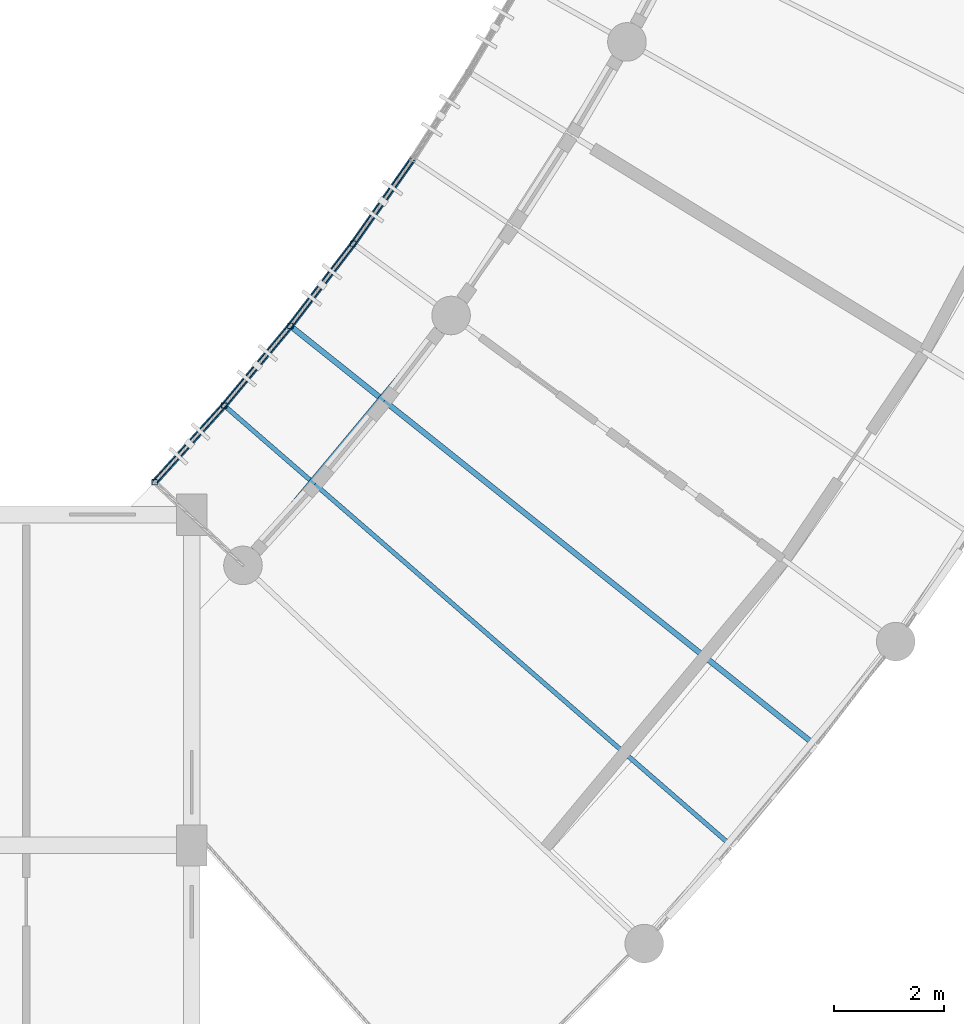
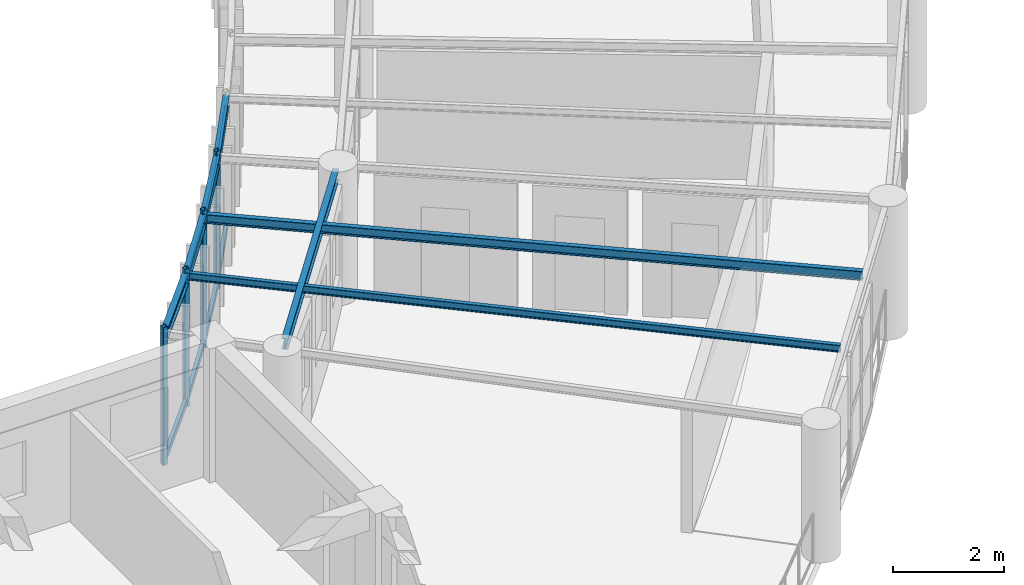
# One storey, part 11 of 123: 12 members, 7 beams.
"""IFC4 building model written with IfcOpenShell, lengths in metres."""

from ifc_helpers import new_model, si_unit, direction, frame, origin, origin_2d, place, context, subcontext, project, spatial, hollow_rectangle, i_section, extrude, material, material_profile, profile_set, type_object, element, save


model = new_model("IFC4")

# Units and contexts
model_context = context("Model", 3, precision=1e-05, world=origin(), true_north=direction((0.0, 1.0)))
body_context = subcontext(model_context, "Body", "Model", "MODEL_VIEW")
ifc_project = project(units=[si_unit("LENGTHUNIT", "METRE"), si_unit("AREAUNIT", "SQUARE_METRE"), si_unit("VOLUMEUNIT", "CUBIC_METRE"), si_unit("PLANEANGLEUNIT", "RADIAN"), si_unit("MASSUNIT", "GRAM", prefix="KILO"), si_unit("POWERUNIT", "WATT"), si_unit("THERMODYNAMICTEMPERATUREUNIT", "KELVIN")], contexts=[model_context])

# Site, building, storey
site_placement = place(None, origin())
site = spatial("IfcSite", under=ifc_project, at=site_placement, CompositionType="ELEMENT")
building_placement = place(site_placement, origin())
building = spatial("IfcBuilding", under=site, at=building_placement, Name="Ruvembo Vaulted Housing Court", CompositionType="ELEMENT")
storey_placement = place(building_placement, frame((0.0, 0.0, 7.699951171875)))
storey = spatial("IfcBuildingStorey", under=building, at=storey_placement, Name="L02", CompositionType="ELEMENT", Elevation=7.699951171875)

# Beams
ifc_material = material(Name="Steel S355J2", Category="steel")
ifc_material_profile_1 = material_profile(ifc_material, i_section(OverallWidth=0.08203125, OverallDepth=0.159912109375, WebThickness=0.0048828125, FlangeThickness=0.00732421875, FilletRadius=0.009033203125, at=origin_2d()), Name="IPE 160")
ifc_profile_set_1 = profile_set([ifc_material_profile_1], Name="Steel S355J2")
beam_type_1 = type_object("IfcBeamType", Name="BM-ST-IPE160", PredefinedType="JOIST", material=ifc_profile_set_1)
beam_1_placement = place(storey_placement, frame((45.690673828125, 36.078369140625, 2.860107421875), z_axis=(-0.75520458687, 0.655489154732, 0.0), x_axis=(-0.655489154732, -0.75520458687, 0.0)))
element("IfcBeam", 1, at=beam_1_placement, inside=storey, type_object=beam_type_1, Name="Scoop SC1 L02 Radial Steel Joist 1", PredefinedType="JOIST", context=body_context, shape_type="SweptSolid", body=[
    extrude(i_section(OverallWidth=0.08203125, OverallDepth=0.159912109375, WebThickness=0.0048828125, FlangeThickness=0.00732421875, FilletRadius=0.009033203125, at=origin_2d()), origin(), (0.0, 0.0, 1.0), 12.092529296875),
])
ifc_material_profile_2 = material_profile(ifc_material, i_section(OverallWidth=0.10009765625, OverallDepth=0.199951171875, WebThickness=0.005615234375, FlangeThickness=0.008544921875, FilletRadius=0.011962890625, at=origin_2d()), Name="IPE 200")
ifc_profile_set_2 = profile_set([ifc_material_profile_2], Name="Steel S355J2")
beam_type_2 = type_object("IfcBeamType", Name="BM-ST-IPE200", PredefinedType="BEAM", material=ifc_profile_set_2)
beam_2_placement = place(storey_placement, frame((47.20751953125, 37.900146484375, 2.840087890625), z_axis=(-0.781429857341, 0.623993091353, 0.0), x_axis=(-0.623993091353, -0.781429857341, 0.0)))
element("IfcBeam", 2, at=beam_2_placement, inside=storey, type_object=beam_type_2, Name="Scoop SC1 L02 Radial Steel Joist 2", PredefinedType="BEAM", context=body_context, shape_type="SweptSolid", body=[
    extrude(i_section(OverallWidth=0.10009765625, OverallDepth=0.199951171875, WebThickness=0.005615234375, FlangeThickness=0.008544921875, FilletRadius=0.011962890625, at=origin_2d()), origin(), (0.0, 0.0, 1.0), 12.092529296875),
])
ifc_material_profile_3 = material_profile(ifc_material, i_section(OverallWidth=0.1201171875, OverallDepth=0.239990234375, WebThickness=0.006103515625, FlangeThickness=0.009765625, FilletRadius=0.014892578125, at=origin_2d()), Name="IPE 240")
ifc_profile_set_3 = profile_set([ifc_material_profile_3], Name="Steel S355J2")
beam_type_3 = type_object("IfcBeamType", Name="BM-ST-IPE240", PredefinedType="BEAM", material=ifc_profile_set_3)
beam_3_placement = place(storey_placement, frame((37.077880859375, 41.2548828125, 2.822021484375), z_axis=(0.639875176035, 0.768478860538, 0.0), x_axis=(-0.768478860538, 0.639875176035, 0.0)))
element("IfcBeam", 3, at=beam_3_placement, inside=storey, type_object=beam_type_3, Name="Scoop SC1 L02 Chord Girder F0", PredefinedType="BEAM", context=body_context, shape_type="SweptSolid", body=[
    extrude(i_section(OverallWidth=0.1201171875, OverallDepth=0.239990234375, WebThickness=0.006103515625, FlangeThickness=0.009765625, FilletRadius=0.014892578125, at=origin_2d()), origin(), (0.0, 0.0, 1.0), 5.43701171875),
])
for number, where, z_axis, x_axis, name in (
    (4, (35.32958984375, 42.5869140625, 2.820068359375), (0.670766832997, 0.741668292265, 0.0), (-0.741668292265, 0.670766832997, 0.0), "Scoop SC1 L02 Balcony Edge Spandrel 0"),
    (5, (36.58837890625, 43.978759765625, 2.820068359375), (0.639915648776, 0.76844515904, 0.0), (-0.76844515904, 0.639915648776, 0.0), "Scoop SC1 L02 Balcony Edge Spandrel 1"),
):
    element("IfcBeam", number, at=place(storey_placement, frame(where, z_axis=z_axis, x_axis=x_axis)), inside=storey, type_object=beam_type_3, Name=name, PredefinedType="BEAM", context=body_context, shape_type="SweptSolid", body=[
        extrude(i_section(OverallWidth=0.1201171875, OverallDepth=0.239990234375, WebThickness=0.006103515625, FlangeThickness=0.009765625, FilletRadius=0.014892578125, at=origin_2d()), origin(), (0.0, 0.0, 1.0), 1.876708984375),
    ])
beam_4_placement = place(storey_placement, frame((37.789306640625, 45.4208984375, 2.820068359375), z_axis=(0.607860517304, 0.794043822155, 0.0), x_axis=(-0.794043822155, 0.607860517304, 0.0)))
element("IfcBeam", 6, at=beam_4_placement, inside=storey, type_object=beam_type_3, Name="Scoop SC1 L02 Balcony Edge Spandrel 2", PredefinedType="BEAM", context=body_context, shape_type="SweptSolid", body=[
    extrude(i_section(OverallWidth=0.1201171875, OverallDepth=0.239990234375, WebThickness=0.006103515625, FlangeThickness=0.009765625, FilletRadius=0.014892578125, at=origin_2d()), origin(), (0.0, 0.0, 1.0), 1.87646484375),
])
beam_5_placement = place(storey_placement, frame((38.929931640625, 46.910888671875, 2.820068359375), z_axis=(0.574858427718, 0.81825288761, 0.0), x_axis=(-0.81825288761, 0.574858427718, 0.0)))
element("IfcBeam", 7, at=beam_5_placement, inside=storey, type_object=beam_type_3, Name="Scoop SC1 L02 Balcony Edge Spandrel 3", PredefinedType="BEAM", context=body_context, shape_type="SweptSolid", body=[
    extrude(i_section(OverallWidth=0.1201171875, OverallDepth=0.239990234375, WebThickness=0.006103515625, FlangeThickness=0.009765625, FilletRadius=0.014892578125, at=origin_2d()), origin(), (0.0, 0.0, 1.0), 1.876708984375),
])

# Members
ifc_material_profile_4 = material_profile(ifc_material, hollow_rectangle(XDim=0.06005859375, YDim=0.1201171875, WallThickness=0.0048828125, InnerFilletRadius=0.0048828125, OuterFilletRadius=0.010009765625, at=origin_2d()), Name="RHS 120x60x5")
ifc_profile_set_4 = profile_set([ifc_material_profile_4], Name="Steel S355J2")
member_type_1 = type_object("IfcMemberType", Name="MEM-CAR-RHS120", PredefinedType="CHORD", material=ifc_profile_set_4)
for number, where, z_axis, x_axis, name in (
    (8, (35.32958984375, 42.5869140625, 2.64306640625), (0.670766832997, 0.741668292265, 0.0), (-0.741668292265, 0.670766832997, 0.0), "Scoop SC1 L02 Upper Louvre Carrier Rail 0"),
    (9, (36.58837890625, 43.978759765625, 2.64306640625), (0.639915648776, 0.76844515904, 0.0), (-0.76844515904, 0.639915648776, 0.0), "Scoop SC1 L02 Upper Louvre Carrier Rail 1"),
):
    element("IfcMember", number, at=place(storey_placement, frame(where, z_axis=z_axis, x_axis=x_axis)), inside=storey, type_object=member_type_1, Name=name, PredefinedType="CHORD", context=body_context, shape_type="SweptSolid", body=[
        extrude(hollow_rectangle(XDim=0.06005859375, YDim=0.1201171875, WallThickness=0.0048828125, InnerFilletRadius=0.0048828125, OuterFilletRadius=0.010009765625, at=origin_2d()), origin(), (0.0, 0.0, 1.0), 1.876708984375),
    ])
member_1_placement = place(storey_placement, frame((37.789306640625, 45.4208984375, 2.64306640625), z_axis=(0.607860517304, 0.794043822155, 0.0), x_axis=(-0.794043822155, 0.607860517304, 0.0)))
element("IfcMember", 10, at=member_1_placement, inside=storey, type_object=member_type_1, Name="Scoop SC1 L02 Upper Louvre Carrier Rail 2", PredefinedType="CHORD", context=body_context, shape_type="SweptSolid", body=[
    extrude(hollow_rectangle(XDim=0.06005859375, YDim=0.1201171875, WallThickness=0.0048828125, InnerFilletRadius=0.0048828125, OuterFilletRadius=0.010009765625, at=origin_2d()), origin(), (0.0, 0.0, 1.0), 1.87646484375),
])
member_2_placement = place(storey_placement, frame((38.929931640625, 46.910888671875, 2.64306640625), z_axis=(0.574858427718, 0.81825288761, 0.0), x_axis=(-0.81825288761, 0.574858427718, 0.0)))
element("IfcMember", 11, at=member_2_placement, inside=storey, type_object=member_type_1, Name="Scoop SC1 L02 Upper Louvre Carrier Rail 3", PredefinedType="CHORD", context=body_context, shape_type="SweptSolid", body=[
    extrude(hollow_rectangle(XDim=0.06005859375, YDim=0.1201171875, WallThickness=0.0048828125, InnerFilletRadius=0.0048828125, OuterFilletRadius=0.010009765625, at=origin_2d()), origin(), (0.0, 0.0, 1.0), 1.876708984375),
])
ifc_material_profile_5 = material_profile(ifc_material, hollow_rectangle(XDim=0.080078125, YDim=0.14990234375, WallThickness=0.00634765625, InnerFilletRadius=0.00634765625, OuterFilletRadius=0.0126953125, at=origin_2d()), Name="RHS 150x80x6.3")
ifc_profile_set_5 = profile_set([ifc_material_profile_5], Name="Steel S355J2")
member_type_2 = type_object("IfcMemberType", Name="MEM-CAR-RHS150", PredefinedType="CHORD", material=ifc_profile_set_5)
for number, where, z_axis, x_axis, name in (
    (12, (35.32958984375, 42.5869140625, 0.094970703125), (0.670766832997, 0.741668292265, 0.0), (-0.741668292265, 0.670766832997, 0.0), "Scoop SC1 L02 Lower Louvre Carrier Rail 0"),
    (13, (36.58837890625, 43.978759765625, 0.094970703125), (0.639915648776, 0.76844515904, 0.0), (-0.76844515904, 0.639915648776, 0.0), "Scoop SC1 L02 Lower Louvre Carrier Rail 1"),
):
    element("IfcMember", number, at=place(storey_placement, frame(where, z_axis=z_axis, x_axis=x_axis)), inside=storey, type_object=member_type_2, Name=name, PredefinedType="CHORD", context=body_context, shape_type="SweptSolid", body=[
        extrude(hollow_rectangle(XDim=0.080078125, YDim=0.14990234375, WallThickness=0.00634765625, InnerFilletRadius=0.00634765625, OuterFilletRadius=0.0126953125, at=origin_2d()), origin(), (0.0, 0.0, 1.0), 1.876708984375),
    ])
member_3_placement = place(storey_placement, frame((37.789306640625, 45.4208984375, 0.094970703125), z_axis=(0.607860517304, 0.794043822155, 0.0), x_axis=(-0.794043822155, 0.607860517304, 0.0)))
element("IfcMember", 14, at=member_3_placement, inside=storey, type_object=member_type_2, Name="Scoop SC1 L02 Lower Louvre Carrier Rail 2", PredefinedType="CHORD", context=body_context, shape_type="SweptSolid", body=[
    extrude(hollow_rectangle(XDim=0.080078125, YDim=0.14990234375, WallThickness=0.00634765625, InnerFilletRadius=0.00634765625, OuterFilletRadius=0.0126953125, at=origin_2d()), origin(), (0.0, 0.0, 1.0), 1.87646484375),
])
member_4_placement = place(storey_placement, frame((38.929931640625, 46.910888671875, 0.094970703125), z_axis=(0.574858427718, 0.81825288761, 0.0), x_axis=(-0.81825288761, 0.574858427718, 0.0)))
element("IfcMember", 15, at=member_4_placement, inside=storey, type_object=member_type_2, Name="Scoop SC1 L02 Lower Louvre Carrier Rail 3", PredefinedType="CHORD", context=body_context, shape_type="SweptSolid", body=[
    extrude(hollow_rectangle(XDim=0.080078125, YDim=0.14990234375, WallThickness=0.00634765625, InnerFilletRadius=0.00634765625, OuterFilletRadius=0.0126953125, at=origin_2d()), origin(), (0.0, 0.0, 1.0), 1.876708984375),
])
ifc_material_profile_6 = material_profile(ifc_material, hollow_rectangle(XDim=0.10009765625, YDim=0.10009765625, WallThickness=0.00634765625, InnerFilletRadius=0.00634765625, OuterFilletRadius=0.0126953125, at=origin_2d()), Name="SHS 100x100x6.3")
ifc_profile_set_6 = profile_set([ifc_material_profile_6], Name="Steel S355J2")
member_type_3 = type_object("IfcMemberType", Name="MEM-FRM-SHS100", PredefinedType="STRUT", material=ifc_profile_set_6)
for number, where, z_axis, x_axis, name in (
    (16, (35.32958984375, 42.5869140625, -0.014892578125), (0.0, 0.0, 1.0), (1.0, 0.0, 0.0), "Scoop SC1 L02 Louvre Frame Post 0"),
    (17, (36.58837890625, 43.978759765625, -0.014892578125), (0.0, 0.0, 1.0), (1.0, 0.0, 0.0), "Scoop SC1 L02 Louvre Frame Post 1"),
    (18, (37.789306640625, 45.4208984375, -0.014892578125), (0.0, 0.0, 1.0), (1.0, 0.0, 0.0), "Scoop SC1 L02 Louvre Frame Post 2"),
    (19, (38.929931640625, 46.910888671875, -0.014892578125), (0.0, 0.0, 1.0), (1.0, 0.0, 0.0), "Scoop SC1 L02 Louvre Frame Post 3"),
):
    element("IfcMember", number, at=place(storey_placement, frame(where, z_axis=z_axis, x_axis=x_axis)), inside=storey, type_object=member_type_3, Name=name, PredefinedType="STRUT", context=body_context, shape_type="SweptSolid", body=[
        extrude(hollow_rectangle(XDim=0.10009765625, YDim=0.10009765625, WallThickness=0.00634765625, InnerFilletRadius=0.00634765625, OuterFilletRadius=0.0126953125, at=origin_2d()), origin(), (0.0, 0.0, 1.0), 3.041015625),
    ])

save(model, "model.ifc")
